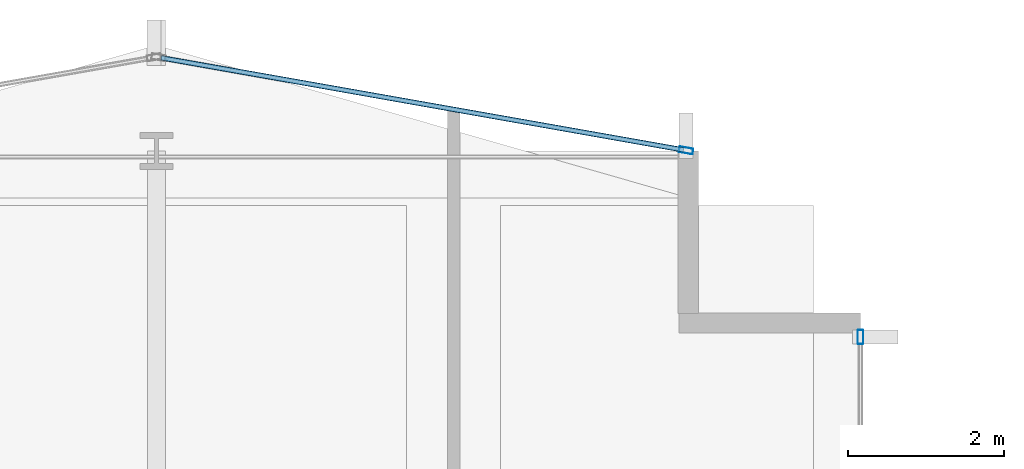
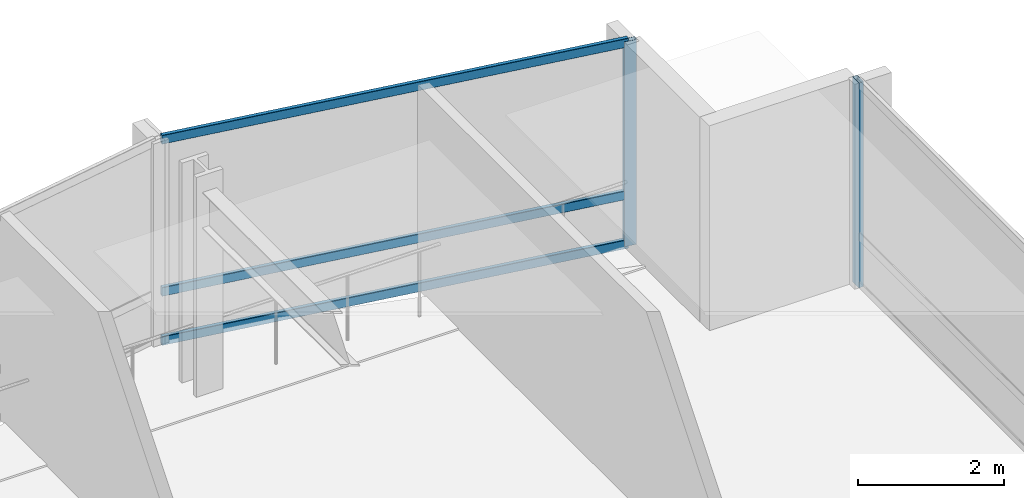
# One storey, part 24 of 34: 5 members, 2 elements without a shape of their own.
"""IFC4 building model written with IfcOpenShell, lengths in metres."""

from ifc_helpers import new_model, si_unit, direction, frame, origin, origin_2d, place, context, subcontext, project, spatial, hollow_rectangle, extrude, material, layer, layer_set, material_profile, profile_set, type_object, element, aggregate, save


model = new_model("IFC4")

# Units and contexts
model_context = context("Model", 3, precision=1e-05, world=origin(), true_north=direction((0.0, 1.0)))
body_context = subcontext(model_context, "Body", "Model", "MODEL_VIEW")
ifc_project = project(units=[si_unit("LENGTHUNIT", "METRE"), si_unit("AREAUNIT", "SQUARE_METRE"), si_unit("VOLUMEUNIT", "CUBIC_METRE"), si_unit("PLANEANGLEUNIT", "RADIAN"), si_unit("MASSUNIT", "GRAM", prefix="KILO")], contexts=[model_context])

# Site, building, storey
site_placement = place(None, origin())
site = spatial("IfcSite", under=ifc_project, at=site_placement, CompositionType="ELEMENT")
building_placement = place(site_placement, origin())
building = spatial("IfcBuilding", under=site, at=building_placement, Name="Solvaryn Broadcast Tower", CompositionType="ELEMENT")
storey_placement = place(building_placement, frame((0.0, 0.0, 89.10009765625)))
storey = spatial("IfcBuildingStorey", under=building, at=storey_placement, Name="L21", CompositionType="ELEMENT", Elevation=89.10009765625)

# Curtain wall, member
ifc_material_1 = material(Name="Aluminium and Terracotta Unitised Curtain Wall", Category="masonry")
ifc_layer = layer(ifc_material_1, 0.199951171875)
ifc_layer_set = layer_set([ifc_layer], Name="CW-SYS2-LOWMID")
curtain_wall_type = type_object("IfcCurtainWallType", Name="CW-SYS2-LOWMID", PredefinedType="NOTDEFINED", material=ifc_layer_set)
curtain_wall_1_placement = place(storey_placement, origin())
curtain_wall_1 = element("IfcCurtainWall", 1, at=curtain_wall_1_placement, inside=storey, type_object=curtain_wall_type, Name="L21 Curtain Wall IV", PredefinedType="NOTDEFINED")
ifc_material_2 = material(Name="Anodised Aluminium 6063-T6", Category="aluminium")
ifc_material_profile_1 = material_profile(ifc_material_2, hollow_rectangle(XDim=0.074951171875, YDim=0.179931640625, WallThickness=0.00390625, InnerFilletRadius=0.00390625, OuterFilletRadius=0.008056640625, at=origin_2d()))
ifc_profile_set_1 = profile_set([ifc_material_profile_1], Name="Anodised Aluminium 6063-T6")
member_type_1 = type_object("IfcMemberType", Name="CW-MUL-180", PredefinedType="MULLION", material=ifc_profile_set_1)
member_1_placement = place(storey_placement, frame((27.0, 51.6201171875, 0.0), z_axis=(0.0, 0.0, 1.0), x_axis=(1.0, 0.0, 0.0)))
member_1 = element("IfcMember", 2, at=member_1_placement, type_object=member_type_1, Name="CWS2 mullion 1", PredefinedType="MULLION", context=body_context, shape_type="SweptSolid", body=[
    extrude(hollow_rectangle(XDim=0.074951171875, YDim=0.179931640625, WallThickness=0.00390625, InnerFilletRadius=0.00390625, OuterFilletRadius=0.008056640625, at=origin_2d()), origin(), (0.0, 0.0, 1.0), 3.419921875),
])
aggregate(curtain_wall_1, [member_1])

# Curtain wall, members
curtain_wall_2_placement = place(storey_placement, origin())
curtain_wall_2 = element("IfcCurtainWall", 3, at=curtain_wall_2_placement, inside=storey, type_object=curtain_wall_type, Name="L21 Curtain Wall NT1", PredefinedType="NOTDEFINED")
member_2_placement = place(storey_placement, frame((24.7705078125, 54.005126953125, 0.0), z_axis=(0.0, 0.0, 1.0), x_axis=(-0.173785333901, -0.984783558819, 0.0)))
member_2 = element("IfcMember", 4, at=member_2_placement, type_object=member_type_1, Name="CWS2 mullion 1", PredefinedType="MULLION", context=body_context, shape_type="SweptSolid", body=[
    extrude(hollow_rectangle(XDim=0.074951171875, YDim=0.179931640625, WallThickness=0.00390625, InnerFilletRadius=0.00390625, OuterFilletRadius=0.008056640625, at=origin_2d()), origin(), (0.0, 0.0, 1.0), 3.419921875),
])
ifc_material_3 = material(Name="Anodised Aluminium 6063-T6", Category="aluminium")
ifc_material_profile_2 = material_profile(ifc_material_3, hollow_rectangle(XDim=0.06494140625, YDim=0.14990234375, WallThickness=0.00390625, InnerFilletRadius=0.00390625, OuterFilletRadius=0.008056640625, at=origin_2d()))
ifc_profile_set_2 = profile_set([ifc_material_profile_2], Name="Anodised Aluminium 6063-T6")
member_type_2 = type_object("IfcMemberType", Name="CW-TRN-150", PredefinedType="USERDEFINED", material=ifc_profile_set_2)
member_3_placement = place(storey_placement, frame((24.740966796875, 54.010498046875, 0.02978515625), z_axis=(-0.984788629673, 0.173756596613, 0.0), x_axis=(-0.173756596613, -0.984788629673, 0.0)))
member_3 = element("IfcMember", 5, at=member_3_placement, type_object=member_type_2, Name="CWS2 transom 1.1", ObjectType="TRANSOM", PredefinedType="USERDEFINED", context=body_context, shape_type="SweptSolid", body=[
    extrude(hollow_rectangle(XDim=0.06494140625, YDim=0.14990234375, WallThickness=0.00390625, InnerFilletRadius=0.00390625, OuterFilletRadius=0.008056640625, at=origin_2d()), origin(), (0.0, 0.0, 1.0), 6.78515625),
])
member_4_placement = place(storey_placement, frame((24.740966796875, 54.010498046875, 0.849853515625), z_axis=(-0.984788629673, 0.173756596613, 0.0), x_axis=(-0.173756596613, -0.984788629673, 0.0)))
member_4 = element("IfcMember", 6, at=member_4_placement, type_object=member_type_2, Name="CWS2 transom 1.2", ObjectType="TRANSOM", PredefinedType="USERDEFINED", context=body_context, shape_type="SweptSolid", body=[
    extrude(hollow_rectangle(XDim=0.06494140625, YDim=0.14990234375, WallThickness=0.00390625, InnerFilletRadius=0.00390625, OuterFilletRadius=0.008056640625, at=origin_2d()), origin(), (0.0, 0.0, 1.0), 6.78515625),
])
member_5_placement = place(storey_placement, frame((24.740966796875, 54.010498046875, 3.389892578125), z_axis=(-0.984788629673, 0.173756596613, 0.0), x_axis=(-0.173756596613, -0.984788629673, 0.0)))
member_5 = element("IfcMember", 7, at=member_5_placement, type_object=member_type_2, Name="CWS2 transom 1.3", ObjectType="TRANSOM", PredefinedType="USERDEFINED", context=body_context, shape_type="SweptSolid", body=[
    extrude(hollow_rectangle(XDim=0.06494140625, YDim=0.14990234375, WallThickness=0.00390625, InnerFilletRadius=0.00390625, OuterFilletRadius=0.008056640625, at=origin_2d()), origin(), (0.0, 0.0, 1.0), 6.78515625),
])
aggregate(curtain_wall_2, [member_2, member_3, member_4, member_5])

save(model, "model.ifc")
